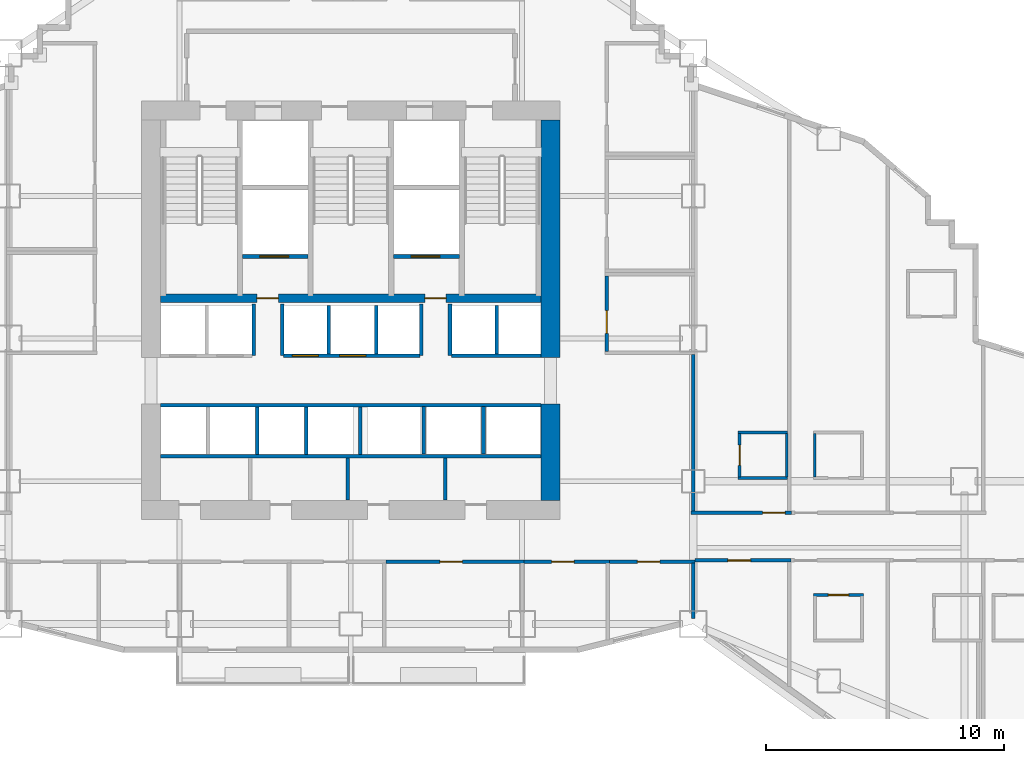
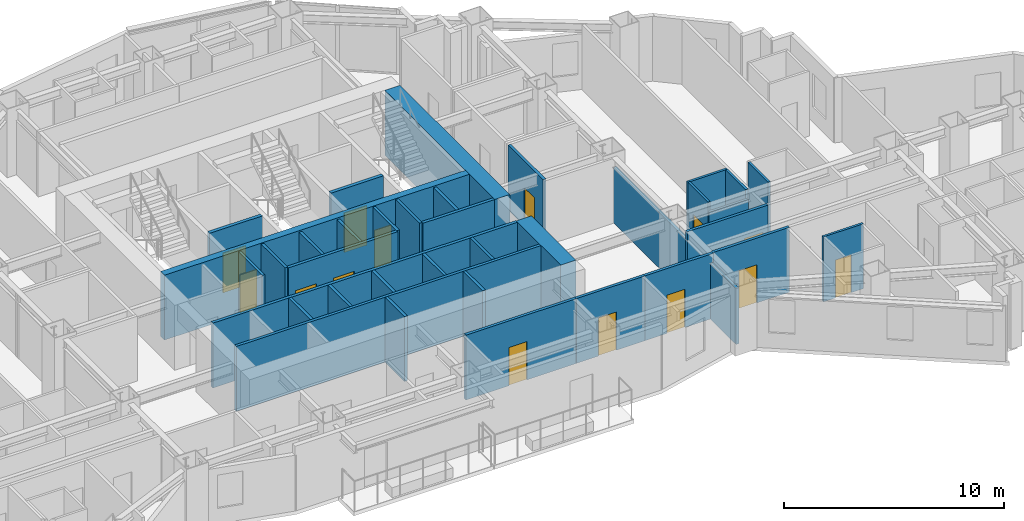
# One storey, part 9 of 18: 37 walls, 14 doors, 14 openings.
"""IFC4 building model written with IfcOpenShell, lengths in metres."""

from ifc_helpers import new_model, si_unit, direction, frame, frame_2d, origin, place, context, subcontext, project, spatial, rectangle, extrude, material, layer, layer_set, type_object, element, fill, save


model = new_model("IFC4")

# Units and contexts
model_context = context("Model", 3, precision=1e-05, world=origin(), true_north=direction((0.0, 1.0)))
body_context = subcontext(model_context, "Body", "Model", "MODEL_VIEW")
ifc_project = project(units=[si_unit("LENGTHUNIT", "METRE"), si_unit("AREAUNIT", "SQUARE_METRE"), si_unit("VOLUMEUNIT", "CUBIC_METRE"), si_unit("PLANEANGLEUNIT", "RADIAN"), si_unit("MASSUNIT", "GRAM", prefix="KILO")], contexts=[model_context])

# Site, building, storey
site_placement = place(None, origin())
site = spatial("IfcSite", under=ifc_project, at=site_placement, CompositionType="ELEMENT")
building_placement = place(site_placement, origin())
building = spatial("IfcBuilding", under=site, at=building_placement, Name="Haolan Belvedere Tower", CompositionType="ELEMENT")
storey_placement = place(building_placement, frame((0.0, 0.0, 51.39990234375)))
storey = spatial("IfcBuildingStorey", under=building, at=storey_placement, Name="L12", CompositionType="ELEMENT", Elevation=51.39990234375)

# Walls
ifc_material_1 = material(Name="Concrete C70/85", Category="concrete")
ifc_layer_1 = layer(ifc_material_1, 0.800048828125, Name="Concrete C70/85")
ifc_layer_set_1 = layer_set([ifc_layer_1], Name="Concrete C70/85")
wall_type_1 = type_object("IfcWallType", Name="WL-CORE-800", PredefinedType="SHEAR", material=ifc_layer_set_1)
wall_1_placement = place(storey_placement, frame((46.800048828125, 26.800048828125, 0.0), z_axis=(0.0, 0.0, 1.0), x_axis=(0.0, 1.0, 0.0)))
element("IfcWall", 1, at=wall_1_placement, inside=storey, type_object=wall_type_1, Name="L12 central core shear wall ES", PredefinedType="SHEAR", context=body_context, shape_type="SweptSolid", body=[
    extrude(rectangle(XDim=4.050048828125, YDim=0.800048828125, at=frame_2d((2.02490234375, 0.0))), origin(), (0.0, 0.0, 1.0), 3.60009765625),
])
wall_2_placement = place(storey_placement, frame((46.800048828125, 32.800048828125, 0.0), z_axis=(0.0, 0.0, 1.0), x_axis=(0.0, 1.0, 0.0)))
element("IfcWall", 2, at=wall_2_placement, inside=storey, type_object=wall_type_1, Name="L12 central core shear wall EN", PredefinedType="SHEAR", context=body_context, shape_type="SweptSolid", body=[
    extrude(rectangle(XDim=10.0, YDim=0.800048828125, at=frame_2d((5.0, 0.0))), origin(), (0.0, 0.0, 1.0), 3.60009765625),
])
ifc_material_2 = material(Name="Double gypsum acoustic stud partition", Category="masonry")
ifc_layer_2 = layer(ifc_material_2, 0.14990234375, Name="Double gypsum acoustic stud partition")
ifc_layer_set_2 = layer_set([ifc_layer_2], Name="Double gypsum acoustic stud partition")
wall_type_2 = type_object("IfcWallType", Name="WL-PART-150", PredefinedType="PARTITIONING", material=ifc_layer_set_2)
wall_3_placement = place(storey_placement, frame((30.39990234375, 28.659912109375, 0.0), z_axis=(0.0, 0.0, 1.0), x_axis=(1.0, 0.0, 0.0)))
element("IfcWall", 3, at=wall_3_placement, inside=storey, type_object=wall_type_2, Name="L12 interior partition IW-L12-SSTRIP-N", PredefinedType="PARTITIONING", context=body_context, shape_type="SweptSolid", body=[
    extrude(rectangle(XDim=16.0, YDim=0.14990234375, at=frame_2d((8.0, 0.0))), origin(), (0.0, 0.0, 1.0), 3.60009765625),
])
for number, where, z_axis, x_axis, name in (
    (4, (38.280029296875, 26.81005859375, 0.0), (0.0, 0.0, 1.0), (0.0, 1.0, 0.0), "L12 interior partition IW-L12-SCV-DIV-2"),
    (5, (42.3798828125, 26.81005859375, 0.0), (0.0, 0.0, 1.0), (0.0, 1.0, 0.0), "L12 interior partition IW-L12-SCV-DIV-3"),
):
    element("IfcWall", number, at=place(storey_placement, frame(where, z_axis=z_axis, x_axis=x_axis)), inside=storey, type_object=wall_type_2, Name=name, PredefinedType="PARTITIONING", context=body_context, shape_type="SweptSolid", body=[
        extrude(rectangle(XDim=1.77001953125, YDim=0.14990234375, at=frame_2d((0.885009765625, 0.0))), origin(), (0.0, 0.0, 1.0), 3.60009765625),
    ])

# Wall, opening, door
wall_4_placement = place(storey_placement, frame((49.159912109375, 33.06005859375, 0.0), z_axis=(0.0, 0.0, 1.0), x_axis=(0.0, 1.0, 0.0)))
wall_4 = element("IfcWall", 6, at=wall_4_placement, inside=storey, type_object=wall_type_2, Name="L12 interior partition IW-L12-AWC-W", PredefinedType="PARTITIONING", context=body_context, shape_type="SweptSolid", body=[
    extrude(rectangle(XDim=3.179931640625, YDim=0.14990234375, at=frame_2d((1.58984375, 0.0))), origin(), (0.0, 0.0, 1.0), 3.60009765625),
])
opening_1_placement = place(wall_4_placement, frame((0.760009765625, 0.0, 0.0)))
opening_1 = element("IfcOpeningElement", 7, at=opening_1_placement, cuts=wall_4, Name="Opening ID-03", PredefinedType="OPENING", context=body_context, shape_type="SweptSolid", body=[
    extrude(rectangle(XDim=0.949951171875, YDim=2.1201171875, at=frame_2d((0.47509765625, 1.06005859375))), frame((0.0, 0.0849609375, 0.0), z_axis=(0.0, -1.0, 0.0), x_axis=(1.0, 0.0, 0.0)), (0.0, 0.0, 1.0), 0.169921875),
])
ifc_material_3 = material(Name="Painted solid-core timber", Category="wood")
door_type_1 = type_object("IfcDoorType", Name="DR-INT-950", OperationType="NOTDEFINED", PredefinedType="DOOR", material=ifc_material_3)
door_1_placement = place(opening_1_placement, origin())
door_1 = element("IfcDoor", 8, at=door_1_placement, inside=storey, type_object=door_type_1, Name="L12 door ID-L12-AWC", OperationType="SINGLE_SWING_LEFT", OverallHeight=2.1201171875, OverallWidth=0.949951171875, PredefinedType="DOOR", context=body_context, shape_type="SweptSolid", body=[
    extrude(rectangle(XDim=0.949951171875, YDim=2.1201171875, at=frame_2d((0.47509765625, 1.06005859375))), frame((0.0, 0.02490234375, 0.0), z_axis=(0.0, -1.0, 0.0), x_axis=(1.0, 0.0, 0.0)), (0.0, 0.0, 1.0), 0.050048828125),
])
fill(opening_1, door_1)

wall_5_placement = place(storey_placement, frame((39.882080078125, 24.219970703125, 0.0), z_axis=(0.0, 0.0, 1.0), x_axis=(1.0, 0.0, 0.0)))
wall_5 = element("IfcWall", 9, at=wall_5_placement, inside=storey, type_object=wall_type_2, Name="L12 interior partition IW-L12-KS5-N", PredefinedType="PARTITIONING", context=body_context, shape_type="SweptSolid", body=[
    extrude(rectangle(XDim=5.7978515625, YDim=0.14990234375, at=frame_2d((2.89892578125, 0.0))), origin(), (0.0, 0.0, 1.0), 3.60009765625),
])
opening_2_placement = place(wall_5_placement, frame((3.212890625, 0.0, 0.0), z_axis=(0.0, 0.0, 1.0), x_axis=(-1.0, 0.0, 0.0)))
opening_2 = element("IfcOpeningElement", 10, at=opening_2_placement, cuts=wall_5, Name="Opening ID-03", PredefinedType="OPENING", context=body_context, shape_type="SweptSolid", body=[
    extrude(rectangle(XDim=0.949951171875, YDim=2.1201171875, at=frame_2d((0.47509765625, 1.06005859375))), frame((0.0, 0.0849609375, 0.0), z_axis=(0.0, -1.0, 0.0), x_axis=(1.0, 0.0, 0.0)), (0.0, 0.0, 1.0), 0.169921875),
])
door_2_placement = place(opening_2_placement, origin())
door_2 = element("IfcDoor", 11, at=door_2_placement, inside=storey, type_object=door_type_1, Name="L12 door ID-L12-KS5", OperationType="SINGLE_SWING_RIGHT", OverallHeight=2.1201171875, OverallWidth=0.949951171875, PredefinedType="DOOR", context=body_context, shape_type="SweptSolid", body=[
    extrude(rectangle(XDim=0.949951171875, YDim=2.1201171875, at=frame_2d((0.47509765625, 1.06005859375))), frame((0.0, 0.02490234375, 0.0), z_axis=(0.0, -1.0, 0.0), x_axis=(1.0, 0.0, 0.0)), (0.0, 0.0, 1.0), 0.050048828125),
])
fill(opening_2, door_2)

wall_6_placement = place(storey_placement, frame((45.681884765625, 24.219970703125, 0.0), z_axis=(0.0, 0.0, 1.0), x_axis=(1.0, 0.0, 0.0)))
wall_6 = element("IfcWall", 12, at=wall_6_placement, inside=storey, type_object=wall_type_2, Name="L12 interior partition IW-L12-KS6-N", PredefinedType="PARTITIONING", context=body_context, shape_type="SweptSolid", body=[
    extrude(rectangle(XDim=3.59814453125, YDim=0.14990234375, at=frame_2d((1.799072265625, 0.0))), origin(), (0.0, 0.0, 1.0), 3.60009765625),
])
opening_3_placement = place(wall_6_placement, frame((2.113037109375, 0.0, 0.0), z_axis=(0.0, 0.0, 1.0), x_axis=(-1.0, 0.0, 0.0)))
opening_3 = element("IfcOpeningElement", 13, at=opening_3_placement, cuts=wall_6, Name="Opening ID-03", PredefinedType="OPENING", context=body_context, shape_type="SweptSolid", body=[
    extrude(rectangle(XDim=0.949951171875, YDim=2.1201171875, at=frame_2d((0.47509765625, 1.06005859375))), frame((0.0, 0.0849609375, 0.0), z_axis=(0.0, -1.0, 0.0), x_axis=(1.0, 0.0, 0.0)), (0.0, 0.0, 1.0), 0.169921875),
])
door_3_placement = place(opening_3_placement, origin())
door_3 = element("IfcDoor", 14, at=door_3_placement, inside=storey, type_object=door_type_1, Name="L12 door ID-L12-KS6", OperationType="SINGLE_SWING_LEFT", OverallHeight=2.1201171875, OverallWidth=0.949951171875, PredefinedType="DOOR", context=body_context, shape_type="SweptSolid", body=[
    extrude(rectangle(XDim=0.949951171875, YDim=2.1201171875, at=frame_2d((0.47509765625, 1.06005859375))), frame((0.0, 0.02490234375, 0.0), z_axis=(0.0, -1.0, 0.0), x_axis=(1.0, 0.0, 0.0)), (0.0, 0.0, 1.0), 0.050048828125),
])
fill(opening_3, door_3)

wall_7_placement = place(storey_placement, frame((49.281982421875, 24.219970703125, 0.0), z_axis=(0.0, 0.0, 1.0), x_axis=(1.0, 0.0, 0.0)))
wall_7 = element("IfcWall", 15, at=wall_7_placement, inside=storey, type_object=wall_type_2, Name="L12 interior partition IW-L12-KS7-N", PredefinedType="PARTITIONING", context=body_context, shape_type="SweptSolid", body=[
    extrude(rectangle(XDim=3.597900390625, YDim=0.14990234375, at=frame_2d((1.798828125, 0.0))), origin(), (0.0, 0.0, 1.0), 3.60009765625),
])
opening_4_placement = place(wall_7_placement, frame((2.113037109375, 0.0, 0.0), z_axis=(0.0, 0.0, 1.0), x_axis=(-1.0, 0.0, 0.0)))
opening_4 = element("IfcOpeningElement", 16, at=opening_4_placement, cuts=wall_7, Name="Opening ID-03", PredefinedType="OPENING", context=body_context, shape_type="SweptSolid", body=[
    extrude(rectangle(XDim=0.949951171875, YDim=2.1201171875, at=frame_2d((0.47509765625, 1.06005859375))), frame((0.0, 0.0849609375, 0.0), z_axis=(0.0, -1.0, 0.0), x_axis=(1.0, 0.0, 0.0)), (0.0, 0.0, 1.0), 0.169921875),
])
door_4_placement = place(opening_4_placement, origin())
door_4 = element("IfcDoor", 17, at=door_4_placement, inside=storey, type_object=door_type_1, Name="L12 door ID-L12-KS7", OperationType="SINGLE_SWING_RIGHT", OverallHeight=2.1201171875, OverallWidth=0.949951171875, PredefinedType="DOOR", context=body_context, shape_type="SweptSolid", body=[
    extrude(rectangle(XDim=0.949951171875, YDim=2.1201171875, at=frame_2d((0.47509765625, 1.06005859375))), frame((0.0, 0.02490234375, 0.0), z_axis=(0.0, -1.0, 0.0), x_axis=(1.0, 0.0, 0.0)), (0.0, 0.0, 1.0), 0.050048828125),
])
fill(opening_4, door_4)

# Wall
wall_8_placement = place(storey_placement, frame((52.800048828125, 21.818603515625, 0.0), z_axis=(0.0, 0.0, 1.0), x_axis=(0.0, 1.0, 0.0)))
element("IfcWall", 18, at=wall_8_placement, inside=storey, type_object=wall_type_2, Name="L12 interior partition IW-L12-KS7-E", PredefinedType="PARTITIONING", context=body_context, shape_type="SweptSolid", body=[
    extrude(rectangle(XDim=2.34130859375, YDim=0.14990234375, at=frame_2d((1.170654296875, 0.0))), origin(), (0.0, 0.0, 1.0), 3.09716796875),
])

# Wall, opening, door
wall_9_placement = place(storey_placement, frame((52.699951171875, 26.280029296875, 0.0), z_axis=(0.0, 0.0, 1.0), x_axis=(1.0, 0.0, 0.0)))
wall_9 = element("IfcWall", 19, at=wall_9_placement, inside=storey, type_object=wall_type_2, Name="L12 interior partition IW-L12-T4N1-S", PredefinedType="PARTITIONING", context=body_context, shape_type="SweptSolid", body=[
    extrude(rectangle(XDim=4.22998046875, YDim=0.14990234375, at=frame_2d((2.114990234375, 0.0))), origin(), (0.0, 0.0, 1.0), 3.60009765625),
])
opening_5_placement = place(wall_9_placement, frame((3.014404296875, 0.0, 0.0)))
opening_5 = element("IfcOpeningElement", 20, at=opening_5_placement, cuts=wall_9, Name="Opening ID-01", PredefinedType="OPENING", context=body_context, shape_type="SweptSolid", body=[
    extrude(rectangle(XDim=0.949951171875, YDim=2.179931640625, at=frame_2d((0.47509765625, 1.08984375))), frame((0.0, 0.0849609375, 0.0), z_axis=(0.0, -1.0, 0.0), x_axis=(1.0, 0.0, 0.0)), (0.0, 0.0, 1.0), 0.169921875),
])
ifc_material_4 = material(Name="Acoustic walnut veneer fire-rated timber", Category="wood")
door_type_2 = type_object("IfcDoorType", Name="DR-SUITE-950", OperationType="NOTDEFINED", PredefinedType="DOOR", material=ifc_material_4)
door_5_placement = place(opening_5_placement, origin())
door_5 = element("IfcDoor", 21, at=door_5_placement, inside=storey, type_object=door_type_2, Name="L12 door ID-L12-T4N1-ENT", OperationType="SINGLE_SWING_LEFT", OverallHeight=2.179931640625, OverallWidth=0.949951171875, PredefinedType="DOOR", context=body_context, shape_type="SweptSolid", body=[
    extrude(rectangle(XDim=0.949951171875, YDim=2.179931640625, at=frame_2d((0.47509765625, 1.08984375))), frame((0.0, 0.02490234375, 0.0), z_axis=(0.0, -1.0, 0.0), x_axis=(1.0, 0.0, 0.0)), (0.0, 0.0, 1.0), 0.050048828125),
])
fill(opening_5, door_5)

# Wall
wall_10_placement = place(storey_placement, frame((52.800048828125, 26.340087890625, 0.0), z_axis=(0.0, 0.0, 1.0), x_axis=(0.0, 1.0, 0.0)))
element("IfcWall", 22, at=wall_10_placement, inside=storey, type_object=wall_type_2, Name="L12 interior partition IW-L12-T4N1-W", PredefinedType="PARTITIONING", context=body_context, shape_type="SweptSolid", body=[
    extrude(rectangle(XDim=6.599853515625, YDim=0.14990234375, at=frame_2d((3.2998046875, 0.0))), origin(), (0.0, 0.0, 1.0), 3.09716796875),
])

# Wall, opening, door
wall_11_placement = place(storey_placement, frame((52.882080078125, 24.27001953125, 0.0), z_axis=(0.0, 0.0, 1.0), x_axis=(1.0, 0.0, 0.0)))
wall_11 = element("IfcWall", 23, at=wall_11_placement, inside=storey, type_object=wall_type_2, Name="L12 interior partition IW-L12-T4S1-N", PredefinedType="PARTITIONING", context=body_context, shape_type="SweptSolid", body=[
    extrude(rectangle(XDim=4.02783203125, YDim=0.14990234375, at=frame_2d((2.013916015625, 0.0))), origin(), (0.0, 0.0, 1.0), 3.60009765625),
])
opening_6_placement = place(wall_11_placement, frame((2.327880859375, 0.0, 0.0), z_axis=(0.0, 0.0, 1.0), x_axis=(-1.0, 0.0, 0.0)))
opening_6 = element("IfcOpeningElement", 24, at=opening_6_placement, cuts=wall_11, Name="Opening ID-03", PredefinedType="OPENING", context=body_context, shape_type="SweptSolid", body=[
    extrude(rectangle(XDim=0.949951171875, YDim=2.1201171875, at=frame_2d((0.47509765625, 1.06005859375))), frame((0.0, 0.0849609375, 0.0), z_axis=(0.0, -1.0, 0.0), x_axis=(1.0, 0.0, 0.0)), (0.0, 0.0, 1.0), 0.169921875),
])
door_6_placement = place(opening_6_placement, origin())
door_6 = element("IfcDoor", 25, at=door_6_placement, inside=storey, type_object=door_type_1, Name="L12 door ID-L12-T4S1", OperationType="SINGLE_SWING_RIGHT", OverallHeight=2.1201171875, OverallWidth=0.949951171875, PredefinedType="DOOR", context=body_context, shape_type="SweptSolid", body=[
    extrude(rectangle(XDim=0.949951171875, YDim=2.1201171875, at=frame_2d((0.47509765625, 1.06005859375))), frame((0.0, 0.02490234375, 0.0), z_axis=(0.0, -1.0, 0.0), x_axis=(1.0, 0.0, 0.0)), (0.0, 0.0, 1.0), 0.050048828125),
])
fill(opening_6, door_6)

# Walls
ifc_material_5 = material(Name="Gypsum fire shaftwall assembly", Category="masonry")
ifc_layer_3 = layer(ifc_material_5, 0.1650390625, Name="Gypsum fire shaftwall assembly")
ifc_layer_set_3 = layer_set([ifc_layer_3], Name="Gypsum fire shaftwall assembly")
wall_type_3 = type_object("IfcWallType", Name="WL-SHAFT-160", PredefinedType="SOLIDWALL", material=ifc_layer_set_3)
for number, where, z_axis, x_axis, name in (
    (26, (34.31005859375, 32.8798828125, 0.0), (0.0, 0.0, 1.0), (0.0, 1.0, 0.0), "L12 interior partition IW-L12-SVP-W-SV1"),
    (27, (35.510009765625, 32.8798828125, 0.0), (0.0, 0.0, 1.0), (0.0, 1.0, 0.0), "L12 interior partition IW-L12-SVP-E-SV1"),
    (28, (41.3701171875, 32.8798828125, 0.0), (0.0, 0.0, 1.0), (0.0, 1.0, 0.0), "L12 interior partition IW-L12-SVP-W-SV2"),
    (29, (42.570068359375, 32.8798828125, 0.0), (0.0, 0.0, 1.0), (0.0, 1.0, 0.0), "L12 interior partition IW-L12-SVP-E-SV2"),
):
    element("IfcWall", number, at=place(storey_placement, frame(where, z_axis=z_axis, x_axis=x_axis)), inside=storey, type_object=wall_type_3, Name=name, PredefinedType="SOLIDWALL", context=body_context, shape_type="SweptSolid", body=[
        extrude(rectangle(XDim=2.170166015625, YDim=0.14990234375, at=frame_2d((1.0849609375, 0.0))), origin(), (0.0, 0.0, 1.0), 3.60009765625),
    ])

# Wall, openings, doors
wall_12_placement = place(storey_placement, frame((35.570068359375, 32.8798828125, 0.0), z_axis=(0.0, 0.0, 1.0), x_axis=(1.0, 0.0, 0.0)))
wall_12 = element("IfcWall", 30, at=wall_12_placement, inside=storey, type_object=wall_type_3, Name="L12 interior partition IW-L12-ROW-PN2", PredefinedType="SOLIDWALL", context=body_context, shape_type="SweptSolid", body=[
    extrude(rectangle(XDim=5.739990234375, YDim=0.159912109375, at=frame_2d((2.8701171875, 0.0))), origin(), (0.0, 0.0, 1.0), 3.60009765625),
])
opening_7_placement = place(wall_12_placement, frame((1.47021484375, 0.0, 0.0), z_axis=(0.0, 0.0, 1.0), x_axis=(-1.0, 0.0, 0.0)))
opening_7 = element("IfcOpeningElement", 31, at=opening_7_placement, cuts=wall_12, Name="Opening LD-01", PredefinedType="OPENING", context=body_context, shape_type="SweptSolid", body=[
    extrude(rectangle(XDim=1.10009765625, YDim=2.199951171875, at=frame_2d((0.550048828125, 1.10009765625))), frame((0.0, 0.08984375, 0.0), z_axis=(0.0, -1.0, 0.0), x_axis=(1.0, 0.0, 0.0)), (0.0, 0.0, 1.0), 0.179931640625),
])
opening_8_placement = place(wall_12_placement, frame((3.460205078125, 0.0, 0.0), z_axis=(0.0, 0.0, 1.0), x_axis=(-1.0, 0.0, 0.0)))
opening_8 = element("IfcOpeningElement", 32, at=opening_8_placement, cuts=wall_12, Name="Opening LD-01", PredefinedType="OPENING", context=body_context, shape_type="SweptSolid", body=[
    extrude(rectangle(XDim=1.10009765625, YDim=2.199951171875, at=frame_2d((0.550048828125, 1.10009765625))), frame((0.0, 0.08984375, 0.0), z_axis=(0.0, -1.0, 0.0), x_axis=(1.0, 0.0, 0.0)), (0.0, 0.0, 1.0), 0.179931640625),
])
ifc_material_6 = material(Name="Brushed champagne stainless steel 316L", Category="steel")
door_type_3 = type_object("IfcDoorType", Name="DR-LIFT-1100", OperationType="SLIDING_TO_LEFT", PredefinedType="DOOR", material=ifc_material_6)
door_7_placement = place(opening_7_placement, origin())
door_7 = element("IfcDoor", 33, at=door_7_placement, inside=storey, type_object=door_type_3, Name="L12 door ID-L12-LD-PL3", OperationType="SLIDING_TO_LEFT", OverallHeight=2.199951171875, OverallWidth=1.10009765625, PredefinedType="DOOR", context=body_context, shape_type="SweptSolid", body=[
    extrude(rectangle(XDim=1.10009765625, YDim=2.199951171875, at=frame_2d((0.550048828125, 1.10009765625))), frame((0.0, 0.02490234375, 0.0), z_axis=(0.0, -1.0, 0.0), x_axis=(1.0, 0.0, 0.0)), (0.0, 0.0, 1.0), 0.050048828125),
])
fill(opening_7, door_7)
door_8_placement = place(opening_8_placement, origin())
door_8 = element("IfcDoor", 34, at=door_8_placement, inside=storey, type_object=door_type_3, Name="L12 door ID-L12-LD-PL4", OperationType="SLIDING_TO_LEFT", OverallHeight=2.199951171875, OverallWidth=1.10009765625, PredefinedType="DOOR", context=body_context, shape_type="SweptSolid", body=[
    extrude(rectangle(XDim=1.10009765625, YDim=2.199951171875, at=frame_2d((0.550048828125, 1.10009765625))), frame((0.0, 0.02490234375, 0.0), z_axis=(0.0, -1.0, 0.0), x_axis=(1.0, 0.0, 0.0)), (0.0, 0.0, 1.0), 0.050048828125),
])
fill(opening_8, door_8)

# Walls
wall_13_placement = place(storey_placement, frame((42.6298828125, 32.8798828125, 0.0), z_axis=(0.0, 0.0, 1.0), x_axis=(1.0, 0.0, 0.0)))
element("IfcWall", 35, at=wall_13_placement, inside=storey, type_object=wall_type_3, Name="L12 interior partition IW-L12-ROW-PN3", PredefinedType="SOLIDWALL", context=body_context, shape_type="SweptSolid", body=[
    extrude(rectangle(XDim=3.77001953125, YDim=0.159912109375, at=frame_2d((1.885009765625, 0.0))), origin(), (0.0, 0.0, 1.0), 3.60009765625),
])
for number, where, z_axis, x_axis, name in (
    (36, (37.47998046875, 32.949951171875, 0.0), (0.0, 0.0, 1.0), (0.0, 1.0, 0.0), "L12 interior partition IW-L12-DIV-PL3"),
    (37, (39.469970703125, 32.949951171875, 0.0), (0.0, 0.0, 1.0), (0.0, 1.0, 0.0), "L12 interior partition IW-L12-DIV-PL4"),
    (38, (44.530029296875, 32.949951171875, 0.0), (0.0, 0.0, 1.0), (0.0, 1.0, 0.0), "L12 interior partition IW-L12-DIV-PH2"),
):
    element("IfcWall", number, at=place(storey_placement, frame(where, z_axis=z_axis, x_axis=x_axis)), inside=storey, type_object=wall_type_3, Name=name, PredefinedType="SOLIDWALL", context=body_context, shape_type="SweptSolid", body=[
        extrude(rectangle(XDim=2.050048828125, YDim=0.14990234375, at=frame_2d((1.02490234375, 0.0))), origin(), (0.0, 0.0, 1.0), 3.60009765625),
    ])
wall_14_placement = place(storey_placement, frame((30.39990234375, 30.800048828125, 0.0), z_axis=(0.0, 0.0, 1.0), x_axis=(1.0, 0.0, 0.0)))
element("IfcWall", 39, at=wall_14_placement, inside=storey, type_object=wall_type_3, Name="L12 interior partition IW-L12-ROW-PS", PredefinedType="SOLIDWALL", context=body_context, shape_type="SweptSolid", body=[
    extrude(rectangle(XDim=16.0, YDim=0.159912109375, at=frame_2d((8.0, 0.0))), origin(), (0.0, 0.0, 1.0), 3.60009765625),
])
for number, where, z_axis, x_axis, name in (
    (40, (34.4599609375, 28.735107421875, 0.0), (0.0, 0.0, 1.0), (0.0, 1.0, 0.0), "L12 interior partition IW-L12-DIV-PM2"),
    (41, (36.52001953125, 28.735107421875, 0.0), (0.0, 0.0, 1.0), (0.0, 1.0, 0.0), "L12 interior partition IW-L12-DIV-PM3"),
    (42, (38.800048828125, 28.735107421875, 0.0), (0.0, 0.0, 1.0), (0.0, 1.0, 0.0), "L12 interior partition IW-L12-DIV-PM4"),
):
    element("IfcWall", number, at=place(storey_placement, frame(where, z_axis=z_axis, x_axis=x_axis)), inside=storey, type_object=wall_type_3, Name=name, PredefinedType="SOLIDWALL", context=body_context, shape_type="SweptSolid", body=[
        extrude(rectangle(XDim=1.98486328125, YDim=0.14990234375, at=frame_2d((0.992431640625, 0.0))), origin(), (0.0, 0.0, 1.0), 3.60009765625),
    ])
for number, where, z_axis, x_axis, name in (
    (43, (41.469970703125, 28.75, 0.0), (0.0, 0.0, 1.0), (0.0, 1.0, 0.0), "L12 interior partition IW-L12-DIV-OB1"),
    (44, (43.97998046875, 28.75, 0.0), (0.0, 0.0, 1.0), (0.0, 1.0, 0.0), "L12 interior partition IW-L12-DIV-OB2"),
):
    element("IfcWall", number, at=place(storey_placement, frame(where, z_axis=z_axis, x_axis=x_axis)), inside=storey, type_object=wall_type_3, Name=name, PredefinedType="SOLIDWALL", context=body_context, shape_type="SweptSolid", body=[
        extrude(rectangle(XDim=1.985107421875, YDim=0.14990234375, at=frame_2d((0.99267578125, 0.0))), origin(), (0.0, 0.0, 1.0), 3.60009765625),
    ])

# Wall, opening, door
ifc_material_7 = material(Name="Precast concrete C40/50", Category="concrete")
ifc_layer_4 = layer(ifc_material_7, 0.179931640625, Name="Precast concrete C40/50")
ifc_layer_set_4 = layer_set([ifc_layer_4], Name="Precast concrete C40/50")
wall_type_4 = type_object("IfcWallType", Name="WL-SHAFT-180", PredefinedType="SOLIDWALL", material=ifc_layer_set_4)
wall_15_placement = place(storey_placement, frame((33.8349609375, 37.050048828125, 0.0), z_axis=(0.0, 0.0, 1.0), x_axis=(1.0, 0.0, 0.0)))
wall_15 = element("IfcWall", 45, at=wall_15_placement, inside=storey, type_object=wall_type_4, Name="L12 interior partition IW-L12-SV1-S", PredefinedType="SOLIDWALL", context=body_context, shape_type="SweptSolid", body=[
    extrude(rectangle(XDim=2.77001953125, YDim=0.179931640625, at=frame_2d((1.385009765625, 0.0))), origin(), (0.0, 0.0, 1.0), 3.60009765625),
])
opening_9_placement = place(wall_15_placement, frame((1.945068359375, 0.0, 0.0), z_axis=(0.0, 0.0, 1.0), x_axis=(-1.0, 0.0, 0.0)))
opening_9 = element("IfcOpeningElement", 46, at=opening_9_placement, cuts=wall_15, Name="Opening LD-02", PredefinedType="OPENING", context=body_context, shape_type="SweptSolid", body=[
    extrude(rectangle(XDim=1.199951171875, YDim=2.199951171875, at=frame_2d((0.60009765625, 1.10009765625))), frame((0.0, 0.099853515625, 0.0), z_axis=(0.0, -1.0, 0.0), x_axis=(1.0, 0.0, 0.0)), (0.0, 0.0, 1.0), 0.199951171875),
])
door_type_4 = type_object("IfcDoorType", Name="DR-LIFT-1200", OperationType="SLIDING_TO_RIGHT", PredefinedType="DOOR", material=ifc_material_6)
door_9_placement = place(opening_9_placement, origin())
door_9 = element("IfcDoor", 47, at=door_9_placement, inside=storey, type_object=door_type_4, Name="L12 door ID-L12-LD-SV1", OperationType="SLIDING_TO_RIGHT", OverallHeight=2.199951171875, OverallWidth=1.199951171875, PredefinedType="DOOR", context=body_context, shape_type="SweptSolid", body=[
    extrude(rectangle(XDim=1.199951171875, YDim=2.199951171875, at=frame_2d((0.60009765625, 1.10009765625))), frame((0.0, 0.02490234375, 0.0), z_axis=(0.0, -1.0, 0.0), x_axis=(1.0, 0.0, 0.0)), (0.0, 0.0, 1.0), 0.050048828125),
])
fill(opening_9, door_9)

wall_16_placement = place(storey_placement, frame((40.195068359375, 37.050048828125, 0.0), z_axis=(0.0, 0.0, 1.0), x_axis=(1.0, 0.0, 0.0)))
wall_16 = element("IfcWall", 48, at=wall_16_placement, inside=storey, type_object=wall_type_4, Name="L12 interior partition IW-L12-SV2-S", PredefinedType="SOLIDWALL", context=body_context, shape_type="SweptSolid", body=[
    extrude(rectangle(XDim=2.77001953125, YDim=0.179931640625, at=frame_2d((1.385009765625, 0.0))), origin(), (0.0, 0.0, 1.0), 3.60009765625),
])
opening_10_placement = place(wall_16_placement, frame((1.945068359375, 0.0, 0.0), z_axis=(0.0, 0.0, 1.0), x_axis=(-1.0, 0.0, 0.0)))
opening_10 = element("IfcOpeningElement", 49, at=opening_10_placement, cuts=wall_16, Name="Opening LD-02", PredefinedType="OPENING", context=body_context, shape_type="SweptSolid", body=[
    extrude(rectangle(XDim=1.199951171875, YDim=2.199951171875, at=frame_2d((0.60009765625, 1.10009765625))), frame((0.0, 0.099853515625, 0.0), z_axis=(0.0, -1.0, 0.0), x_axis=(1.0, 0.0, 0.0)), (0.0, 0.0, 1.0), 0.199951171875),
])
door_10_placement = place(opening_10_placement, origin())
door_10 = element("IfcDoor", 50, at=door_10_placement, inside=storey, type_object=door_type_4, Name="L12 door ID-L12-LD-SV2", OperationType="SLIDING_TO_RIGHT", OverallHeight=2.199951171875, OverallWidth=1.199951171875, PredefinedType="DOOR", context=body_context, shape_type="SweptSolid", body=[
    extrude(rectangle(XDim=1.199951171875, YDim=2.199951171875, at=frame_2d((0.60009765625, 1.10009765625))), frame((0.0, 0.02490234375, 0.0), z_axis=(0.0, -1.0, 0.0), x_axis=(1.0, 0.0, 0.0)), (0.0, 0.0, 1.0), 0.050048828125),
])
fill(opening_10, door_10)

# Wall, openings, doors
ifc_material_8 = material(Name="Concrete C60/75", Category="concrete")
ifc_layer_5 = layer(ifc_material_8, 0.360107421875, Name="Concrete C60/75")
ifc_layer_set_5 = layer_set([ifc_layer_5], Name="Concrete C60/75")
wall_type_5 = type_object("IfcWallType", Name="WL-WEB-350", PredefinedType="SHEAR", material=ifc_layer_set_5)
wall_17_placement = place(storey_placement, frame((30.39990234375, 35.2900390625, 0.0), z_axis=(0.0, 0.0, 1.0), x_axis=(1.0, 0.0, 0.0)))
wall_17 = element("IfcWall", 51, at=wall_17_placement, inside=storey, type_object=wall_type_5, Name="L12 central core internal shear web", PredefinedType="SHEAR", context=body_context, shape_type="SweptSolid", body=[
    extrude(rectangle(XDim=16.0, YDim=0.360107421875, at=frame_2d((8.0, 0.0))), origin(), (0.0, 0.0, 1.0), 3.60009765625),
])
opening_11_placement = place(wall_17_placement, frame((4.949951171875, 0.0, 0.0), z_axis=(0.0, 0.0, 1.0), x_axis=(-1.0, 0.0, 0.0)))
opening_11 = element("IfcOpeningElement", 52, at=opening_11_placement, cuts=wall_17, Name="Opening FD-05", PredefinedType="OPENING", context=body_context, shape_type="SweptSolid", body=[
    extrude(rectangle(XDim=0.89990234375, YDim=2.10009765625, at=frame_2d((0.449951171875, 1.050048828125))), frame((0.0, 0.18994140625, 0.0), z_axis=(0.0, -1.0, 0.0), x_axis=(1.0, 0.0, 0.0)), (0.0, 0.0, 1.0), 0.380126953125),
])
opening_12_placement = place(wall_17_placement, frame((12.010009765625, 0.0, 0.0), z_axis=(0.0, 0.0, 1.0), x_axis=(-1.0, 0.0, 0.0)))
opening_12 = element("IfcOpeningElement", 53, at=opening_12_placement, cuts=wall_17, Name="Opening FD-05", PredefinedType="OPENING", context=body_context, shape_type="SweptSolid", body=[
    extrude(rectangle(XDim=0.89990234375, YDim=2.10009765625, at=frame_2d((0.449951171875, 1.050048828125))), frame((0.0, 0.18994140625, 0.0), z_axis=(0.0, -1.0, 0.0), x_axis=(1.0, 0.0, 0.0)), (0.0, 0.0, 1.0), 0.380126953125),
])
ifc_material_9 = material(Name="Galvanised fire-rated steel", Category="steel")
door_type_5 = type_object("IfcDoorType", Name="DR-FD60-900", OperationType="NOTDEFINED", PredefinedType="DOOR", material=ifc_material_9)
door_11_placement = place(opening_11_placement, origin())
door_11 = element("IfcDoor", 54, at=door_11_placement, inside=storey, type_object=door_type_5, Name="L12 door CD-L12-SVL-SV1", OperationType="SINGLE_SWING_RIGHT", OverallHeight=2.10009765625, OverallWidth=0.89990234375, PredefinedType="DOOR", context=body_context, shape_type="SweptSolid", body=[
    extrude(rectangle(XDim=0.89990234375, YDim=2.10009765625, at=frame_2d((0.449951171875, 1.050048828125))), frame((0.0, 0.02490234375, 0.0), z_axis=(0.0, -1.0, 0.0), x_axis=(1.0, 0.0, 0.0)), (0.0, 0.0, 1.0), 0.050048828125),
])
fill(opening_11, door_11)
door_12_placement = place(opening_12_placement, origin())
door_12 = element("IfcDoor", 55, at=door_12_placement, inside=storey, type_object=door_type_5, Name="L12 door CD-L12-SVL-SV2", OperationType="SINGLE_SWING_RIGHT", OverallHeight=2.10009765625, OverallWidth=0.89990234375, PredefinedType="DOOR", context=body_context, shape_type="SweptSolid", body=[
    extrude(rectangle(XDim=0.89990234375, YDim=2.10009765625, at=frame_2d((0.449951171875, 1.050048828125))), frame((0.0, 0.02490234375, 0.0), z_axis=(0.0, -1.0, 0.0), x_axis=(1.0, 0.0, 0.0)), (0.0, 0.0, 1.0), 0.050048828125),
])
fill(opening_12, door_12)

# Walls
ifc_material_10 = material(Name="Moisture-resistant gypsum tile partition", Category="masonry")
ifc_layer_6 = layer(ifc_material_10, 0.1201171875, Name="Moisture-resistant gypsum tile partition")
ifc_layer_set_6 = layer_set([ifc_layer_6], Name="Moisture-resistant gypsum tile partition")
wall_type_6 = type_object("IfcWallType", Name="WL-WET-120", PredefinedType="PARTITIONING", material=ifc_layer_set_6)
wall_18_placement = place(storey_placement, frame((54.68994140625, 29.64990234375, 0.0), z_axis=(0.0, 0.0, 1.0), x_axis=(1.0, 0.0, 0.0)))
element("IfcWall", 56, at=wall_18_placement, inside=storey, type_object=wall_type_6, Name="L12 interior partition IW-L12-T4N1-BN", PredefinedType="PARTITIONING", context=body_context, shape_type="SweptSolid", body=[
    extrude(rectangle(XDim=2.080078125, YDim=0.1201171875, at=frame_2d((1.0400390625, 0.0))), origin(), (0.0, 0.0, 1.0), 3.60009765625),
])
wall_19_placement = place(storey_placement, frame((54.68994140625, 27.72998046875, 0.0), z_axis=(0.0, 0.0, 1.0), x_axis=(1.0, 0.0, 0.0)))
element("IfcWall", 57, at=wall_19_placement, inside=storey, type_object=wall_type_6, Name="L12 interior partition IW-L12-T4N1-BS", PredefinedType="PARTITIONING", context=body_context, shape_type="SweptSolid", body=[
    extrude(rectangle(XDim=2.080078125, YDim=0.1201171875, at=frame_2d((1.0400390625, 0.0))), origin(), (0.0, 0.0, 1.0), 3.09716796875),
])

# Wall, opening, door
wall_20_placement = place(storey_placement, frame((54.75, 27.77490234375, 0.0), z_axis=(0.0, 0.0, 1.0), x_axis=(0.0, 1.0, 0.0)))
wall_20 = element("IfcWall", 58, at=wall_20_placement, inside=storey, type_object=wall_type_6, Name="L12 interior partition IW-L12-T4N1-BW", PredefinedType="PARTITIONING", context=body_context, shape_type="SweptSolid", body=[
    extrude(rectangle(XDim=1.830078125, YDim=0.1201171875, at=frame_2d((0.9150390625, 0.0))), origin(), (0.0, 0.0, 1.0), 3.60009765625),
])
opening_13_placement = place(wall_20_placement, frame((1.340087890625, 0.0, 0.0), z_axis=(0.0, 0.0, 1.0), x_axis=(-1.0, 0.0, 0.0)))
opening_13 = element("IfcOpeningElement", 59, at=opening_13_placement, cuts=wall_20, Name="Opening ID-05", PredefinedType="OPENING", context=body_context, shape_type="SweptSolid", body=[
    extrude(rectangle(XDim=0.85009765625, YDim=2.10009765625, at=frame_2d((0.425048828125, 1.050048828125))), frame((0.0, 0.070068359375, 0.0), z_axis=(0.0, -1.0, 0.0), x_axis=(1.0, 0.0, 0.0)), (0.0, 0.0, 1.0), 0.14013671875),
])
ifc_material_11 = material(Name="Moisture-resistant lacquered timber", Category="wood")
door_type_6 = type_object("IfcDoorType", Name="DR-BATH-850", OperationType="NOTDEFINED", PredefinedType="DOOR", material=ifc_material_11)
door_13_placement = place(opening_13_placement, origin())
door_13 = element("IfcDoor", 60, at=door_13_placement, inside=storey, type_object=door_type_6, Name="L12 door ID-L12-T4N1-BATH", OperationType="SINGLE_SWING_RIGHT", OverallHeight=2.10009765625, OverallWidth=0.85009765625, PredefinedType="DOOR", context=body_context, shape_type="SweptSolid", body=[
    extrude(rectangle(XDim=0.85009765625, YDim=2.10009765625, at=frame_2d((0.425048828125, 1.050048828125))), frame((0.0, 0.02490234375, 0.0), z_axis=(0.0, -1.0, 0.0), x_axis=(1.0, 0.0, 0.0)), (0.0, 0.0, 1.0), 0.050048828125),
])
fill(opening_13, door_13)

# Walls
for number, where, z_axis, x_axis, name in (
    (61, (56.72998046875, 27.77490234375, 0.0), (0.0, 0.0, 1.0), (0.0, 1.0, 0.0), "L12 interior partition IW-L12-T4N1-BE"),
    (62, (57.909912109375, 27.77490234375, 0.0), (0.0, 0.0, 1.0), (0.0, 1.0, 0.0), "L12 interior partition IW-L12-T4N2-BW"),
):
    element("IfcWall", number, at=place(storey_placement, frame(where, z_axis=z_axis, x_axis=x_axis)), inside=storey, type_object=wall_type_6, Name=name, PredefinedType="PARTITIONING", context=body_context, shape_type="SweptSolid", body=[
        extrude(rectangle(XDim=1.830078125, YDim=0.1201171875, at=frame_2d((0.9150390625, 0.0))), origin(), (0.0, 0.0, 1.0), 3.60009765625),
    ])

# Wall, opening, door
wall_21_placement = place(storey_placement, frame((57.85595703125, 22.820068359375, 0.0), z_axis=(0.0, 0.0, 1.0), x_axis=(1.0, 0.0, 0.0)))
wall_21 = element("IfcWall", 63, at=wall_21_placement, inside=storey, type_object=wall_type_6, Name="L12 interior partition IW-L12-T4S2-BN", PredefinedType="PARTITIONING", context=body_context, shape_type="SweptSolid", body=[
    extrude(rectangle(XDim=2.10009765625, YDim=0.1201171875, at=frame_2d((1.050048828125, 0.0))), origin(), (0.0, 0.0, 1.0), 3.60009765625),
])
opening_14_placement = place(wall_21_placement, frame((1.47509765625, 0.0, 0.0), z_axis=(0.0, 0.0, 1.0), x_axis=(-1.0, 0.0, 0.0)))
opening_14 = element("IfcOpeningElement", 64, at=opening_14_placement, cuts=wall_21, Name="Opening ID-05", PredefinedType="OPENING", context=body_context, shape_type="SweptSolid", body=[
    extrude(rectangle(XDim=0.85009765625, YDim=2.10009765625, at=frame_2d((0.425048828125, 1.050048828125))), frame((0.0, 0.070068359375, 0.0), z_axis=(0.0, -1.0, 0.0), x_axis=(1.0, 0.0, 0.0)), (0.0, 0.0, 1.0), 0.14013671875),
])
door_14_placement = place(opening_14_placement, origin())
door_14 = element("IfcDoor", 65, at=door_14_placement, inside=storey, type_object=door_type_6, Name="L12 door ID-L12-T4S2-BATH", OperationType="SINGLE_SWING_RIGHT", OverallHeight=2.10009765625, OverallWidth=0.85009765625, PredefinedType="DOOR", context=body_context, shape_type="SweptSolid", body=[
    extrude(rectangle(XDim=0.85009765625, YDim=2.10009765625, at=frame_2d((0.425048828125, 1.050048828125))), frame((0.0, 0.02490234375, 0.0), z_axis=(0.0, -1.0, 0.0), x_axis=(1.0, 0.0, 0.0)), (0.0, 0.0, 1.0), 0.050048828125),
])
fill(opening_14, door_14)

save(model, "model.ifc")
